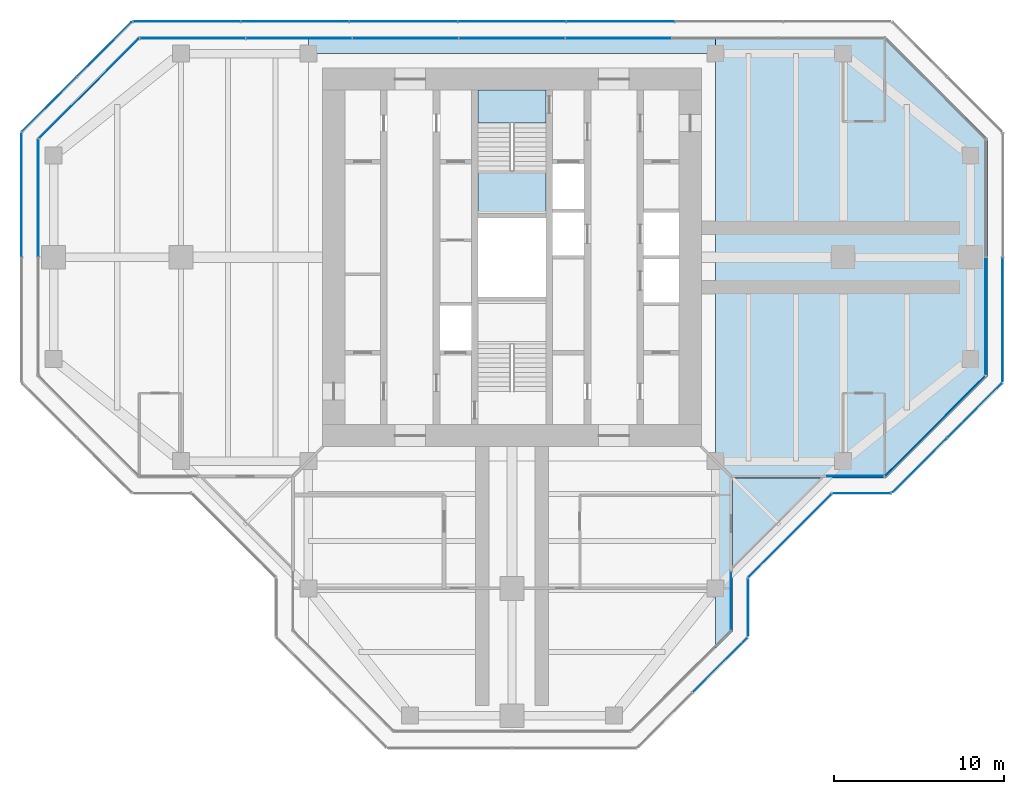
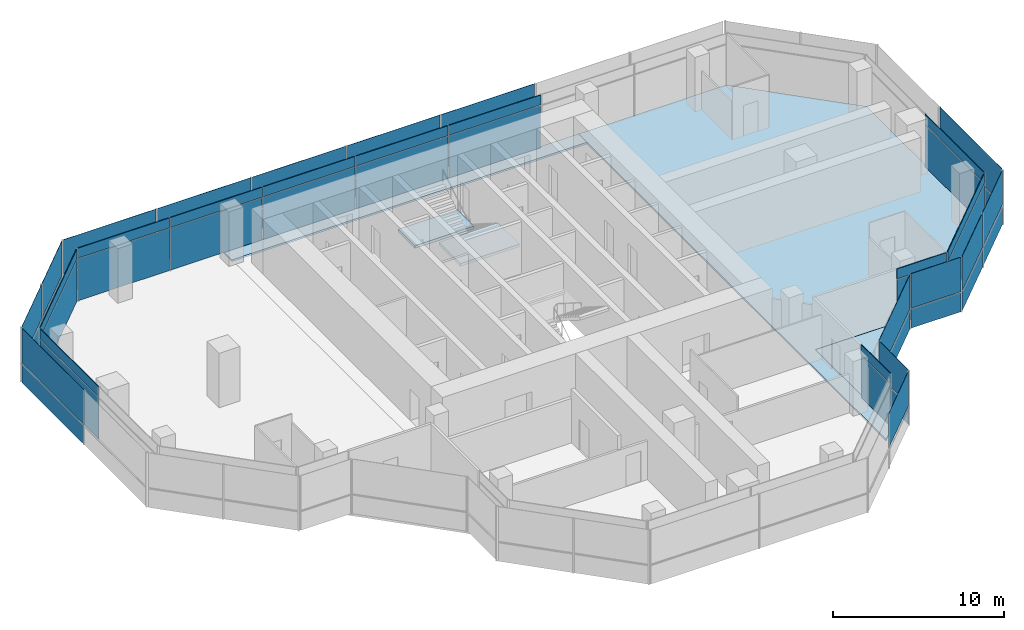
# One storey, part 10 of 15: 51 plates, 5 slabs, 17 elements without a shape of their own.
"""IFC4 building model written with IfcOpenShell, lengths in metres."""

from ifc_helpers import new_model, si_unit, direction, frame, origin, origin_2d, place, context, subcontext, project, spatial, polyline, rectangle, outline, extrude, material, layer, layer_set, type_object, element, aggregate, save


model = new_model("IFC4")

# Units and contexts
model_context = context("Model", 3, precision=1e-05, world=origin(), true_north=direction((0.0, 1.0)))
body_context = subcontext(model_context, "Body", "Model", "MODEL_VIEW")
ifc_project = project(units=[si_unit("LENGTHUNIT", "METRE"), si_unit("AREAUNIT", "SQUARE_METRE"), si_unit("VOLUMEUNIT", "CUBIC_METRE"), si_unit("PLANEANGLEUNIT", "RADIAN"), si_unit("MASSUNIT", "GRAM", prefix="KILO")], contexts=[model_context])

# Site, building, storey
site_placement = place(None, origin())
site = spatial("IfcSite", under=ifc_project, at=site_placement, CompositionType="ELEMENT")
building_placement = place(site_placement, origin())
building = spatial("IfcBuilding", under=site, at=building_placement, Name="Mizan Broadcast Tower", CompositionType="ELEMENT")
storey_placement = place(building_placement, frame((0.0, 0.0, 286.800048828125)))
storey = spatial("IfcBuildingStorey", under=building, at=storey_placement, Name="L68", CompositionType="ELEMENT", Elevation=286.800048828125)

# Slabs
ifc_material_1 = material(Name="Concrete C32/40", Category="concrete")
ifc_layer_1 = layer(ifc_material_1, 0.1298828125)
ifc_layer_set_1 = layer_set([ifc_layer_1], Name="Concrete C32/40")
slab_type_1 = type_object("IfcSlabType", Name="COMPOSITE DECK SLAB 130", PredefinedType="FLOOR", material=ifc_layer_set_1)
slab_1_placement = place(storey_placement, frame((0.0, 0.0, -0.130126953125)))
element("IfcSlab", 1, at=slab_1_placement, inside=storey, type_object=slab_type_1, Name="Floor slab L68 east arm", PredefinedType="FLOOR", context=body_context, shape_type="SweptSolid", body=[
    extrude(outline(polyline([(12.0, -23.0), (13.0, -22.0), (13.0, -13.0), (22.0, -13.0), (28.0, -7.0), (28.0, 7.0), (22.0, 13.0), (13.0, 13.0), (12.0, 13.0), (12.0, -23.0)])), origin(), (0.0, 0.0, 1.0), 0.130126953125),
])
slab_2_placement = place(storey_placement, frame((0.0, 0.0, -0.130126953125)))
element("IfcSlab", 2, at=slab_2_placement, inside=storey, type_object=slab_type_1, Name="Floor slab L68 north arm", PredefinedType="FLOOR", context=body_context, shape_type="SweptSolid", body=[
    extrude(outline(polyline([(12.0, 13.0), (-12.0, 13.0), (-12.0, 12.0), (12.0, 12.0), (12.0, 13.0)])), origin(), (0.0, 0.0, 1.0), 0.130126953125),
])

# Curtain wall, plate
ifc_material_2 = material(Name="Aluminium framed glazing", Category="aluminium")
curtain_wall_type_1 = type_object("IfcCurtainWallType", Name="INNER SKIN TOP ZONE", PredefinedType="USERDEFINED", material=ifc_material_2)
curtain_wall_1_placement = place(storey_placement, origin())
curtain_wall_1 = element("IfcCurtainWall", 3, at=curtain_wall_1_placement, inside=storey, type_object=curtain_wall_type_1, Name="Inner skin top zone L68 E side", ObjectType="INNER SKIN TOP ZONE", PredefinedType="USERDEFINED")
ifc_material_3 = material(Name="Double glazing, clear low-e", Category="glass")
ifc_layer_2 = layer(ifc_material_3, 0.028076171875)
ifc_layer_set_2 = layer_set([ifc_layer_2], Name="Double glazing, clear low-e")
plate_type_1 = type_object("IfcPlateType", Name="INNER SKIN GLAZING UNIT", PredefinedType="CURTAIN_PANEL", material=ifc_layer_set_2)
plate_1_placement = place(storey_placement, frame((20.229248046875, -12.89990234375, 0.0), z_axis=(0.0, 0.0, 1.0), x_axis=(1.0, 0.0, 0.0)))
plate_1 = element("IfcPlate", 4, at=plate_1_placement, type_object=plate_type_1, Name="Inner skin top zone L68 E side panel 1.1", PredefinedType="CURTAIN_PANEL", context=body_context, shape_type="SweptSolid", body=[
    extrude(rectangle(XDim=3.338623046875, YDim=0.028076171875, at=origin_2d()), origin(), (0.0, 0.0, 1.0), 3.0),
])

curtain_wall_2_placement = place(storey_placement, origin())
curtain_wall_2 = element("IfcCurtainWall", 5, at=curtain_wall_2_placement, inside=storey, type_object=curtain_wall_type_1, Name="Inner skin top zone L68 E chamfer", ObjectType="INNER SKIN TOP ZONE", PredefinedType="USERDEFINED")
plate_2_placement = place(storey_placement, frame((24.92919921875, -9.92919921875, 0.0), z_axis=(0.0, 0.0, 1.0), x_axis=(0.707106781187, 0.707106781187, 0.0)))
plate_2 = element("IfcPlate", 6, at=plate_2_placement, type_object=plate_type_1, Name="Inner skin top zone L68 E chamfer panel 1.1", PredefinedType="CURTAIN_PANEL", context=body_context, shape_type="SweptSolid", body=[
    extrude(rectangle(XDim=8.282470703125, YDim=0.028076171875, at=origin_2d()), origin(), (0.0, 0.0, 1.0), 3.0),
])

curtain_wall_3_placement = place(storey_placement, origin())
curtain_wall_3 = element("IfcCurtainWall", 7, at=curtain_wall_3_placement, inside=storey, type_object=curtain_wall_type_1, Name="Inner skin top zone L68 E end", ObjectType="INNER SKIN TOP ZONE", PredefinedType="USERDEFINED")
plate_3_placement = place(storey_placement, frame((27.89990234375, -3.46435546875, 0.0), z_axis=(0.0, 0.0, 1.0), x_axis=(0.0, 1.0, 0.0)))
plate_3 = element("IfcPlate", 8, at=plate_3_placement, type_object=plate_type_1, Name="Inner skin top zone L68 E end panel 1.1", PredefinedType="CURTAIN_PANEL", context=body_context, shape_type="SweptSolid", body=[
    extrude(rectangle(XDim=6.86865234375, YDim=0.028076171875, at=origin_2d()), origin(), (0.0, 0.0, 1.0), 3.0),
])

# Curtain wall, plates
curtain_wall_4_placement = place(storey_placement, origin())
curtain_wall_4 = element("IfcCurtainWall", 9, at=curtain_wall_4_placement, inside=storey, type_object=curtain_wall_type_1, Name="Inner skin top zone L68 N end", ObjectType="INNER SKIN TOP ZONE", PredefinedType="USERDEFINED")
plate_4_placement = place(storey_placement, frame((6.27392578125, 12.89990234375, 0.0), z_axis=(0.0, 0.0, 1.0), x_axis=(-1.0, 0.0, 0.0)))
plate_4 = element("IfcPlate", 10, at=plate_4_placement, type_object=plate_type_1, Name="Inner skin top zone L68 N end panel 3.1", PredefinedType="CURTAIN_PANEL", context=body_context, shape_type="SweptSolid", body=[
    extrude(rectangle(XDim=6.2138671875, YDim=0.028076171875, at=origin_2d()), origin(), (0.0, 0.0, 1.0), 3.0),
])
plate_5_placement = place(storey_placement, frame((0.0, 12.89990234375, 0.0), z_axis=(0.0, 0.0, 1.0), x_axis=(-1.0, 0.0, 0.0)))
plate_5 = element("IfcPlate", 11, at=plate_5_placement, type_object=plate_type_1, Name="Inner skin top zone L68 N end panel 4.1", PredefinedType="CURTAIN_PANEL", context=body_context, shape_type="SweptSolid", body=[
    extrude(rectangle(XDim=6.2138671875, YDim=0.028076171875, at=origin_2d()), origin(), (0.0, 0.0, 1.0), 3.0),
])
plate_6_placement = place(storey_placement, frame((-6.27392578125, 12.89990234375, 0.0), z_axis=(0.0, 0.0, 1.0), x_axis=(-1.0, 0.0, 0.0)))
plate_6 = element("IfcPlate", 12, at=plate_6_placement, type_object=plate_type_1, Name="Inner skin top zone L68 N end panel 5.1", PredefinedType="CURTAIN_PANEL", context=body_context, shape_type="SweptSolid", body=[
    extrude(rectangle(XDim=6.2138671875, YDim=0.028076171875, at=origin_2d()), origin(), (0.0, 0.0, 1.0), 3.0),
])
plate_7_placement = place(storey_placement, frame((-12.5478515625, 12.89990234375, 0.0), z_axis=(0.0, 0.0, 1.0), x_axis=(-1.0, 0.0, 0.0)))
plate_7 = element("IfcPlate", 13, at=plate_7_placement, type_object=plate_type_1, Name="Inner skin top zone L68 N end panel 6.1", PredefinedType="CURTAIN_PANEL", context=body_context, shape_type="SweptSolid", body=[
    extrude(rectangle(XDim=6.2138671875, YDim=0.028076171875, at=origin_2d()), origin(), (0.0, 0.0, 1.0), 3.0),
])
plate_8_placement = place(storey_placement, frame((-18.806640625, 12.89990234375, 0.0), z_axis=(0.0, 0.0, 1.0), x_axis=(-1.0, 0.0, 0.0)))
plate_8 = element("IfcPlate", 14, at=plate_8_placement, type_object=plate_type_1, Name="Inner skin top zone L68 N end panel 7.1", PredefinedType="CURTAIN_PANEL", context=body_context, shape_type="SweptSolid", body=[
    extrude(rectangle(XDim=6.183837890625, YDim=0.028076171875, at=origin_2d()), origin(), (0.0, 0.0, 1.0), 3.0),
])

# Curtain wall, plate
curtain_wall_5_placement = place(storey_placement, origin())
curtain_wall_5 = element("IfcCurtainWall", 15, at=curtain_wall_5_placement, inside=storey, type_object=curtain_wall_type_1, Name="Inner skin top zone L68 W chamfer", ObjectType="INNER SKIN TOP ZONE", PredefinedType="USERDEFINED")
plate_9_placement = place(storey_placement, frame((-24.92919921875, 9.92919921875, 0.0), z_axis=(0.0, 0.0, 1.0), x_axis=(-0.707106781187, -0.707106781187, 0.0)))
plate_9 = element("IfcPlate", 16, at=plate_9_placement, type_object=plate_type_1, Name="Inner skin top zone L68 W chamfer panel 1.1", PredefinedType="CURTAIN_PANEL", context=body_context, shape_type="SweptSolid", body=[
    extrude(rectangle(XDim=8.282470703125, YDim=0.028076171875, at=origin_2d()), origin(), (0.0, 0.0, 1.0), 3.0),
])

curtain_wall_6_placement = place(storey_placement, origin())
curtain_wall_6 = element("IfcCurtainWall", 17, at=curtain_wall_6_placement, inside=storey, type_object=curtain_wall_type_1, Name="Inner skin top zone L68 W end", ObjectType="INNER SKIN TOP ZONE", PredefinedType="USERDEFINED")
plate_10_placement = place(storey_placement, frame((-27.89990234375, 3.46435546875, 0.0), z_axis=(0.0, 0.0, 1.0), x_axis=(0.0, -1.0, 0.0)))
plate_10 = element("IfcPlate", 18, at=plate_10_placement, type_object=plate_type_1, Name="Inner skin top zone L68 W end panel 1.1", PredefinedType="CURTAIN_PANEL", context=body_context, shape_type="SweptSolid", body=[
    extrude(rectangle(XDim=6.86865234375, YDim=0.028076171875, at=origin_2d()), origin(), (0.0, 0.0, 1.0), 3.0),
])

curtain_wall_7_placement = place(storey_placement, origin())
curtain_wall_7 = element("IfcCurtainWall", 19, at=curtain_wall_7_placement, inside=storey, type_object=curtain_wall_type_1, Name="Inner skin top zone L68 S side", ObjectType="INNER SKIN TOP ZONE", PredefinedType="USERDEFINED")
plate_11_placement = place(storey_placement, frame((12.89990234375, -20.229248046875, 0.0), z_axis=(0.0, 0.0, 1.0), x_axis=(0.0, 1.0, 0.0)))
plate_11 = element("IfcPlate", 20, at=plate_11_placement, type_object=plate_type_1, Name="Inner skin top zone L68 S side panel 1.1", PredefinedType="CURTAIN_PANEL", context=body_context, shape_type="SweptSolid", body=[
    extrude(rectangle(XDim=3.338623046875, YDim=0.028076171875, at=origin_2d()), origin(), (0.0, 0.0, 1.0), 3.0),
])

# Plate
ifc_material_4 = material(Name="Insulated aluminium spandrel panel, pale anodised", Category="aluminium")
ifc_layer_3 = layer(ifc_material_4, 0.050048828125)
ifc_layer_set_3 = layer_set([ifc_layer_3], Name="Insulated aluminium spandrel panel, pale anodised")
plate_type_2 = type_object("IfcPlateType", Name="INNER SKIN SPANDREL PANEL", PredefinedType="CURTAIN_PANEL", material=ifc_layer_set_3)
plate_12_placement = place(storey_placement, frame((20.229248046875, -12.89990234375, 3.06005859375), z_axis=(0.0, 0.0, 1.0), x_axis=(1.0, 0.0, 0.0)))
plate_12 = element("IfcPlate", 21, at=plate_12_placement, type_object=plate_type_2, Name="Inner skin top zone L68 E side panel 1.2", PredefinedType="CURTAIN_PANEL", context=body_context, shape_type="SweptSolid", body=[
    extrude(rectangle(XDim=3.338623046875, YDim=0.050048828125, at=origin_2d()), origin(), (0.0, 0.0, 1.0), 0.7099609375),
])

aggregate(curtain_wall_1, [plate_1, plate_12])

plate_13_placement = place(storey_placement, frame((24.92919921875, -9.92919921875, 3.06005859375), z_axis=(0.0, 0.0, 1.0), x_axis=(0.707106781187, 0.707106781187, 0.0)))
plate_13 = element("IfcPlate", 22, at=plate_13_placement, type_object=plate_type_2, Name="Inner skin top zone L68 E chamfer panel 1.2", PredefinedType="CURTAIN_PANEL", context=body_context, shape_type="SweptSolid", body=[
    extrude(rectangle(XDim=8.282470703125, YDim=0.050048828125, at=origin_2d()), origin(), (0.0, 0.0, 1.0), 0.7099609375),
])

aggregate(curtain_wall_2, [plate_2, plate_13])

plate_14_placement = place(storey_placement, frame((27.89990234375, -3.46435546875, 3.06005859375), z_axis=(0.0, 0.0, 1.0), x_axis=(0.0, 1.0, 0.0)))
plate_14 = element("IfcPlate", 23, at=plate_14_placement, type_object=plate_type_2, Name="Inner skin top zone L68 E end panel 1.2", PredefinedType="CURTAIN_PANEL", context=body_context, shape_type="SweptSolid", body=[
    extrude(rectangle(XDim=6.86865234375, YDim=0.050048828125, at=origin_2d()), origin(), (0.0, 0.0, 1.0), 0.7099609375),
])

aggregate(curtain_wall_3, [plate_3, plate_14])

plate_15_placement = place(storey_placement, frame((6.27392578125, 12.89990234375, 3.06005859375), z_axis=(0.0, 0.0, 1.0), x_axis=(-1.0, 0.0, 0.0)))
plate_15 = element("IfcPlate", 24, at=plate_15_placement, type_object=plate_type_2, Name="Inner skin top zone L68 N end panel 3.2", PredefinedType="CURTAIN_PANEL", context=body_context, shape_type="SweptSolid", body=[
    extrude(rectangle(XDim=6.2138671875, YDim=0.050048828125, at=origin_2d()), origin(), (0.0, 0.0, 1.0), 0.7099609375),
])

plate_16_placement = place(storey_placement, frame((0.0, 12.89990234375, 3.06005859375), z_axis=(0.0, 0.0, 1.0), x_axis=(-1.0, 0.0, 0.0)))
plate_16 = element("IfcPlate", 25, at=plate_16_placement, type_object=plate_type_2, Name="Inner skin top zone L68 N end panel 4.2", PredefinedType="CURTAIN_PANEL", context=body_context, shape_type="SweptSolid", body=[
    extrude(rectangle(XDim=6.2138671875, YDim=0.050048828125, at=origin_2d()), origin(), (0.0, 0.0, 1.0), 0.7099609375),
])

plate_17_placement = place(storey_placement, frame((-6.27392578125, 12.89990234375, 3.06005859375), z_axis=(0.0, 0.0, 1.0), x_axis=(-1.0, 0.0, 0.0)))
plate_17 = element("IfcPlate", 26, at=plate_17_placement, type_object=plate_type_2, Name="Inner skin top zone L68 N end panel 5.2", PredefinedType="CURTAIN_PANEL", context=body_context, shape_type="SweptSolid", body=[
    extrude(rectangle(XDim=6.2138671875, YDim=0.050048828125, at=origin_2d()), origin(), (0.0, 0.0, 1.0), 0.7099609375),
])

plate_18_placement = place(storey_placement, frame((-12.5478515625, 12.89990234375, 3.06005859375), z_axis=(0.0, 0.0, 1.0), x_axis=(-1.0, 0.0, 0.0)))
plate_18 = element("IfcPlate", 27, at=plate_18_placement, type_object=plate_type_2, Name="Inner skin top zone L68 N end panel 6.2", PredefinedType="CURTAIN_PANEL", context=body_context, shape_type="SweptSolid", body=[
    extrude(rectangle(XDim=6.2138671875, YDim=0.050048828125, at=origin_2d()), origin(), (0.0, 0.0, 1.0), 0.7099609375),
])

plate_19_placement = place(storey_placement, frame((-18.806640625, 12.89990234375, 3.06005859375), z_axis=(0.0, 0.0, 1.0), x_axis=(-1.0, 0.0, 0.0)))
plate_19 = element("IfcPlate", 28, at=plate_19_placement, type_object=plate_type_2, Name="Inner skin top zone L68 N end panel 7.2", PredefinedType="CURTAIN_PANEL", context=body_context, shape_type="SweptSolid", body=[
    extrude(rectangle(XDim=6.183837890625, YDim=0.050048828125, at=origin_2d()), origin(), (0.0, 0.0, 1.0), 0.7099609375),
])

aggregate(curtain_wall_4, [plate_4, plate_15, plate_5, plate_16, plate_6, plate_17, plate_7, plate_18, plate_8, plate_19])

plate_20_placement = place(storey_placement, frame((-24.92919921875, 9.92919921875, 3.06005859375), z_axis=(0.0, 0.0, 1.0), x_axis=(-0.707106781187, -0.707106781187, 0.0)))
plate_20 = element("IfcPlate", 29, at=plate_20_placement, type_object=plate_type_2, Name="Inner skin top zone L68 W chamfer panel 1.2", PredefinedType="CURTAIN_PANEL", context=body_context, shape_type="SweptSolid", body=[
    extrude(rectangle(XDim=8.282470703125, YDim=0.050048828125, at=origin_2d()), origin(), (0.0, 0.0, 1.0), 0.7099609375),
])

aggregate(curtain_wall_5, [plate_9, plate_20])

plate_21_placement = place(storey_placement, frame((-27.89990234375, 3.46435546875, 3.06005859375), z_axis=(0.0, 0.0, 1.0), x_axis=(0.0, -1.0, 0.0)))
plate_21 = element("IfcPlate", 30, at=plate_21_placement, type_object=plate_type_2, Name="Inner skin top zone L68 W end panel 1.2", PredefinedType="CURTAIN_PANEL", context=body_context, shape_type="SweptSolid", body=[
    extrude(rectangle(XDim=6.86865234375, YDim=0.050048828125, at=origin_2d()), origin(), (0.0, 0.0, 1.0), 0.7099609375),
])

aggregate(curtain_wall_6, [plate_10, plate_21])

plate_22_placement = place(storey_placement, frame((12.89990234375, -20.229248046875, 3.06005859375), z_axis=(0.0, 0.0, 1.0), x_axis=(0.0, 1.0, 0.0)))
plate_22 = element("IfcPlate", 31, at=plate_22_placement, type_object=plate_type_2, Name="Inner skin top zone L68 S side panel 1.2", PredefinedType="CURTAIN_PANEL", context=body_context, shape_type="SweptSolid", body=[
    extrude(rectangle(XDim=3.338623046875, YDim=0.050048828125, at=origin_2d()), origin(), (0.0, 0.0, 1.0), 0.7099609375),
])

aggregate(curtain_wall_7, [plate_11, plate_22])

# Curtain wall, plates
ifc_material_5 = material(Name="Aluminium framed glazing", Category="aluminium")
curtain_wall_type_2 = type_object("IfcCurtainWallType", Name="OUTER SKIN", PredefinedType="USERDEFINED", material=ifc_material_5)
curtain_wall_8_placement = place(storey_placement, origin())
curtain_wall_8 = element("IfcCurtainWall", 32, at=curtain_wall_8_placement, inside=storey, type_object=curtain_wall_type_2, Name="Outer skin L68 S side", ObjectType="OUTER SKIN", PredefinedType="USERDEFINED")
ifc_material_6 = material(Name="Laminated clear glass", Category="glass")
ifc_layer_4 = layer(ifc_material_6, 0.02001953125)
ifc_layer_set_4 = layer_set([ifc_layer_4], Name="Laminated clear glass")
plate_type_3 = type_object("IfcPlateType", Name="OUTER SKIN CLEAR GLASS", PredefinedType="CURTAIN_PANEL", material=ifc_layer_set_4)
plate_23_placement = place(storey_placement, frame((13.89990234375, -20.622802734375, 0.0), z_axis=(0.0, 0.0, 1.0), x_axis=(0.0, 1.0, 0.0)))
plate_23 = element("IfcPlate", 33, at=plate_23_placement, type_object=plate_type_3, Name="Outer skin L68 S side panel 1.1", PredefinedType="CURTAIN_PANEL", context=body_context, shape_type="SweptSolid", body=[
    extrude(rectangle(XDim=3.340087890625, YDim=0.02001953125, at=origin_2d()), origin(), (0.0, 0.0, 1.0), 1.3701171875),
])
plate_24_placement = place(storey_placement, frame((13.89990234375, -20.622802734375, 1.43017578125), z_axis=(0.0, 0.0, 1.0), x_axis=(0.0, 1.0, 0.0)))
plate_24 = element("IfcPlate", 34, at=plate_24_placement, type_object=plate_type_3, Name="Outer skin L68 S side panel 1.2", PredefinedType="CURTAIN_PANEL", context=body_context, shape_type="SweptSolid", body=[
    extrude(rectangle(XDim=3.340087890625, YDim=0.02001953125, at=origin_2d()), origin(), (0.0, 0.0, 1.0), 2.469970703125),
])
aggregate(curtain_wall_8, [plate_23, plate_24])

curtain_wall_9_placement = place(storey_placement, origin())
curtain_wall_9 = element("IfcCurtainWall", 35, at=curtain_wall_9_placement, inside=storey, type_object=curtain_wall_type_2, Name="Outer skin L68 E chamfer", ObjectType="OUTER SKIN", PredefinedType="USERDEFINED")
plate_25_placement = place(storey_placement, frame((16.386474609375, -16.386474609375, 0.0), z_axis=(0.0, 0.0, 1.0), x_axis=(0.707106781187, 0.707106781187, 0.0)))
plate_25 = element("IfcPlate", 36, at=plate_25_placement, type_object=plate_type_3, Name="Outer skin L68 E chamfer panel 1.1", PredefinedType="CURTAIN_PANEL", context=body_context, shape_type="SweptSolid", body=[
    extrude(rectangle(XDim=6.87255859375, YDim=0.02001953125, at=origin_2d()), origin(), (0.0, 0.0, 1.0), 1.3701171875),
])
plate_26_placement = place(storey_placement, frame((16.386474609375, -16.386474609375, 1.43017578125), z_axis=(0.0, 0.0, 1.0), x_axis=(0.707106781187, 0.707106781187, 0.0)))
plate_26 = element("IfcPlate", 37, at=plate_26_placement, type_object=plate_type_3, Name="Outer skin L68 E chamfer panel 1.2", PredefinedType="CURTAIN_PANEL", context=body_context, shape_type="SweptSolid", body=[
    extrude(rectangle(XDim=6.87255859375, YDim=0.02001953125, at=origin_2d()), origin(), (0.0, 0.0, 1.0), 2.469970703125),
])
aggregate(curtain_wall_9, [plate_25, plate_26])

curtain_wall_10_placement = place(storey_placement, origin())
curtain_wall_10 = element("IfcCurtainWall", 38, at=curtain_wall_10_placement, inside=storey, type_object=curtain_wall_type_2, Name="Outer skin L68 E side", ObjectType="OUTER SKIN", PredefinedType="USERDEFINED")
plate_27_placement = place(storey_placement, frame((20.622802734375, -13.89990234375, 0.0), z_axis=(0.0, 0.0, 1.0), x_axis=(1.0, 0.0, 0.0)))
plate_27 = element("IfcPlate", 39, at=plate_27_placement, type_object=plate_type_3, Name="Outer skin L68 E side panel 1.1", PredefinedType="CURTAIN_PANEL", context=body_context, shape_type="SweptSolid", body=[
    extrude(rectangle(XDim=3.340087890625, YDim=0.02001953125, at=origin_2d()), origin(), (0.0, 0.0, 1.0), 1.3701171875),
])
plate_28_placement = place(storey_placement, frame((20.622802734375, -13.89990234375, 1.43017578125), z_axis=(0.0, 0.0, 1.0), x_axis=(1.0, 0.0, 0.0)))
plate_28 = element("IfcPlate", 40, at=plate_28_placement, type_object=plate_type_3, Name="Outer skin L68 E side panel 1.2", PredefinedType="CURTAIN_PANEL", context=body_context, shape_type="SweptSolid", body=[
    extrude(rectangle(XDim=3.340087890625, YDim=0.02001953125, at=origin_2d()), origin(), (0.0, 0.0, 1.0), 2.469970703125),
])
aggregate(curtain_wall_10, [plate_27, plate_28])

curtain_wall_11_placement = place(storey_placement, origin())
curtain_wall_11 = element("IfcCurtainWall", 41, at=curtain_wall_11_placement, inside=storey, type_object=curtain_wall_type_2, Name="Outer skin L68 E chamfer", ObjectType="OUTER SKIN", PredefinedType="USERDEFINED")
plate_29_placement = place(storey_placement, frame((24.018798828125, -12.254150390625, 0.0), z_axis=(0.0, 0.0, 1.0), x_axis=(0.707106781187, 0.707106781187, 0.0)))
plate_29 = element("IfcPlate", 42, at=plate_29_placement, type_object=plate_type_3, Name="Outer skin L68 E chamfer panel 1.1", PredefinedType="CURTAIN_PANEL", context=body_context, shape_type="SweptSolid", body=[
    extrude(rectangle(XDim=4.495361328125, YDim=0.02001953125, at=origin_2d()), origin(), (0.0, 0.0, 1.0), 1.3701171875),
])
plate_30_placement = place(storey_placement, frame((24.018798828125, -12.254150390625, 1.43017578125), z_axis=(0.0, 0.0, 1.0), x_axis=(0.707106781187, 0.707106781187, 0.0)))
plate_30 = element("IfcPlate", 43, at=plate_30_placement, type_object=plate_type_3, Name="Outer skin L68 E chamfer panel 1.2", PredefinedType="CURTAIN_PANEL", context=body_context, shape_type="SweptSolid", body=[
    extrude(rectangle(XDim=4.495361328125, YDim=0.02001953125, at=origin_2d()), origin(), (0.0, 0.0, 1.0), 2.469970703125),
])

curtain_wall_12_placement = place(storey_placement, origin())
curtain_wall_12 = element("IfcCurtainWall", 44, at=curtain_wall_12_placement, inside=storey, type_object=curtain_wall_type_2, Name="Outer skin L68 E end", ObjectType="OUTER SKIN", PredefinedType="USERDEFINED")
plate_31_placement = place(storey_placement, frame((28.89990234375, -3.66650390625, 0.0), z_axis=(0.0, 0.0, 1.0), x_axis=(0.0, 1.0, 0.0)))
plate_31 = element("IfcPlate", 45, at=plate_31_placement, type_object=plate_type_3, Name="Outer skin L68 E end panel 1.1", PredefinedType="CURTAIN_PANEL", context=body_context, shape_type="SweptSolid", body=[
    extrude(rectangle(XDim=7.252685546875, YDim=0.02001953125, at=origin_2d()), origin(), (0.0, 0.0, 1.0), 1.3701171875),
])
plate_32_placement = place(storey_placement, frame((28.89990234375, -3.66650390625, 1.43017578125), z_axis=(0.0, 0.0, 1.0), x_axis=(0.0, 1.0, 0.0)))
plate_32 = element("IfcPlate", 46, at=plate_32_placement, type_object=plate_type_3, Name="Outer skin L68 E end panel 1.2", PredefinedType="CURTAIN_PANEL", context=body_context, shape_type="SweptSolid", body=[
    extrude(rectangle(XDim=7.252685546875, YDim=0.02001953125, at=origin_2d()), origin(), (0.0, 0.0, 1.0), 2.469970703125),
])
aggregate(curtain_wall_12, [plate_31, plate_32])

curtain_wall_13_placement = place(storey_placement, origin())
curtain_wall_13 = element("IfcCurtainWall", 47, at=curtain_wall_13_placement, inside=storey, type_object=curtain_wall_type_2, Name="Outer skin L68 N end", ObjectType="OUTER SKIN", PredefinedType="USERDEFINED")
plate_33_placement = place(storey_placement, frame((6.392333984375, 13.89990234375, 0.0), z_axis=(0.0, 0.0, 1.0), x_axis=(-1.0, 0.0, 0.0)))
plate_33 = element("IfcPlate", 48, at=plate_33_placement, type_object=plate_type_3, Name="Outer skin L68 N end panel 3.1", PredefinedType="CURTAIN_PANEL", context=body_context, shape_type="SweptSolid", body=[
    extrude(rectangle(XDim=6.312255859375, YDim=0.02001953125, at=origin_2d()), origin(), (0.0, 0.0, 1.0), 1.3701171875),
])
plate_34_placement = place(storey_placement, frame((6.392333984375, 13.89990234375, 1.43017578125), z_axis=(0.0, 0.0, 1.0), x_axis=(-1.0, 0.0, 0.0)))
plate_34 = element("IfcPlate", 49, at=plate_34_placement, type_object=plate_type_3, Name="Outer skin L68 N end panel 3.2", PredefinedType="CURTAIN_PANEL", context=body_context, shape_type="SweptSolid", body=[
    extrude(rectangle(XDim=6.312255859375, YDim=0.02001953125, at=origin_2d()), origin(), (0.0, 0.0, 1.0), 2.469970703125),
])
plate_35_placement = place(storey_placement, frame((0.0, 13.89990234375, 0.0), z_axis=(0.0, 0.0, 1.0), x_axis=(-1.0, 0.0, 0.0)))
plate_35 = element("IfcPlate", 50, at=plate_35_placement, type_object=plate_type_3, Name="Outer skin L68 N end panel 4.1", PredefinedType="CURTAIN_PANEL", context=body_context, shape_type="SweptSolid", body=[
    extrude(rectangle(XDim=6.312255859375, YDim=0.02001953125, at=origin_2d()), origin(), (0.0, 0.0, 1.0), 1.3701171875),
])
plate_36_placement = place(storey_placement, frame((0.0, 13.89990234375, 1.43017578125), z_axis=(0.0, 0.0, 1.0), x_axis=(-1.0, 0.0, 0.0)))
plate_36 = element("IfcPlate", 51, at=plate_36_placement, type_object=plate_type_3, Name="Outer skin L68 N end panel 4.2", PredefinedType="CURTAIN_PANEL", context=body_context, shape_type="SweptSolid", body=[
    extrude(rectangle(XDim=6.312255859375, YDim=0.02001953125, at=origin_2d()), origin(), (0.0, 0.0, 1.0), 2.469970703125),
])
plate_37_placement = place(storey_placement, frame((-6.392333984375, 13.89990234375, 0.0), z_axis=(0.0, 0.0, 1.0), x_axis=(-1.0, 0.0, 0.0)))
plate_37 = element("IfcPlate", 52, at=plate_37_placement, type_object=plate_type_3, Name="Outer skin L68 N end panel 5.1", PredefinedType="CURTAIN_PANEL", context=body_context, shape_type="SweptSolid", body=[
    extrude(rectangle(XDim=6.312255859375, YDim=0.02001953125, at=origin_2d()), origin(), (0.0, 0.0, 1.0), 1.3701171875),
])
plate_38_placement = place(storey_placement, frame((-6.392333984375, 13.89990234375, 1.43017578125), z_axis=(0.0, 0.0, 1.0), x_axis=(-1.0, 0.0, 0.0)))
plate_38 = element("IfcPlate", 53, at=plate_38_placement, type_object=plate_type_3, Name="Outer skin L68 N end panel 5.2", PredefinedType="CURTAIN_PANEL", context=body_context, shape_type="SweptSolid", body=[
    extrude(rectangle(XDim=6.312255859375, YDim=0.02001953125, at=origin_2d()), origin(), (0.0, 0.0, 1.0), 2.469970703125),
])
plate_39_placement = place(storey_placement, frame((-12.784423828125, 13.89990234375, 0.0), z_axis=(0.0, 0.0, 1.0), x_axis=(-1.0, 0.0, 0.0)))
plate_39 = element("IfcPlate", 54, at=plate_39_placement, type_object=plate_type_3, Name="Outer skin L68 N end panel 6.1", PredefinedType="CURTAIN_PANEL", context=body_context, shape_type="SweptSolid", body=[
    extrude(rectangle(XDim=6.312255859375, YDim=0.02001953125, at=origin_2d()), origin(), (0.0, 0.0, 1.0), 1.3701171875),
])
plate_40_placement = place(storey_placement, frame((-12.784423828125, 13.89990234375, 1.43017578125), z_axis=(0.0, 0.0, 1.0), x_axis=(-1.0, 0.0, 0.0)))
plate_40 = element("IfcPlate", 55, at=plate_40_placement, type_object=plate_type_3, Name="Outer skin L68 N end panel 6.2", PredefinedType="CURTAIN_PANEL", context=body_context, shape_type="SweptSolid", body=[
    extrude(rectangle(XDim=6.312255859375, YDim=0.02001953125, at=origin_2d()), origin(), (0.0, 0.0, 1.0), 2.469970703125),
])
plate_41_placement = place(storey_placement, frame((-19.15673828125, 13.89990234375, 0.0), z_axis=(0.0, 0.0, 1.0), x_axis=(-1.0, 0.0, 0.0)))
plate_41 = element("IfcPlate", 56, at=plate_41_placement, type_object=plate_type_3, Name="Outer skin L68 N end panel 7.1", PredefinedType="CURTAIN_PANEL", context=body_context, shape_type="SweptSolid", body=[
    extrude(rectangle(XDim=6.272216796875, YDim=0.02001953125, at=origin_2d()), origin(), (0.0, 0.0, 1.0), 1.3701171875),
])
plate_42_placement = place(storey_placement, frame((-19.15673828125, 13.89990234375, 1.43017578125), z_axis=(0.0, 0.0, 1.0), x_axis=(-1.0, 0.0, 0.0)))
plate_42 = element("IfcPlate", 57, at=plate_42_placement, type_object=plate_type_3, Name="Outer skin L68 N end panel 7.2", PredefinedType="CURTAIN_PANEL", context=body_context, shape_type="SweptSolid", body=[
    extrude(rectangle(XDim=6.272216796875, YDim=0.02001953125, at=origin_2d()), origin(), (0.0, 0.0, 1.0), 2.469970703125),
])
aggregate(curtain_wall_13, [plate_33, plate_34, plate_35, plate_36, plate_37, plate_38, plate_39, plate_40, plate_41, plate_42])

curtain_wall_14_placement = place(storey_placement, origin())
curtain_wall_14 = element("IfcCurtainWall", 58, at=curtain_wall_14_placement, inside=storey, type_object=curtain_wall_type_2, Name="Outer skin L68 W chamfer", ObjectType="OUTER SKIN", PredefinedType="USERDEFINED")
plate_43_placement = place(storey_placement, frame((-24.018798828125, 12.254150390625, 0.0), z_axis=(0.0, 0.0, 1.0), x_axis=(-0.707106781187, -0.707106781187, 0.0)))
plate_43 = element("IfcPlate", 59, at=plate_43_placement, type_object=plate_type_3, Name="Outer skin L68 W chamfer panel 1.1", PredefinedType="CURTAIN_PANEL", context=body_context, shape_type="SweptSolid", body=[
    extrude(rectangle(XDim=4.495361328125, YDim=0.02001953125, at=origin_2d()), origin(), (0.0, 0.0, 1.0), 1.3701171875),
])
plate_44_placement = place(storey_placement, frame((-24.018798828125, 12.254150390625, 1.43017578125), z_axis=(0.0, 0.0, 1.0), x_axis=(-0.707106781187, -0.707106781187, 0.0)))
plate_44 = element("IfcPlate", 60, at=plate_44_placement, type_object=plate_type_3, Name="Outer skin L68 W chamfer panel 1.2", PredefinedType="CURTAIN_PANEL", context=body_context, shape_type="SweptSolid", body=[
    extrude(rectangle(XDim=4.495361328125, YDim=0.02001953125, at=origin_2d()), origin(), (0.0, 0.0, 1.0), 2.469970703125),
])

curtain_wall_15_placement = place(storey_placement, origin())
curtain_wall_15 = element("IfcCurtainWall", 61, at=curtain_wall_15_placement, inside=storey, type_object=curtain_wall_type_2, Name="Outer skin L68 W end", ObjectType="OUTER SKIN", PredefinedType="USERDEFINED")
plate_45_placement = place(storey_placement, frame((-28.89990234375, 3.66650390625, 0.0), z_axis=(0.0, 0.0, 1.0), x_axis=(0.0, -1.0, 0.0)))
plate_45 = element("IfcPlate", 62, at=plate_45_placement, type_object=plate_type_3, Name="Outer skin L68 W end panel 1.1", PredefinedType="CURTAIN_PANEL", context=body_context, shape_type="SweptSolid", body=[
    extrude(rectangle(XDim=7.252685546875, YDim=0.02001953125, at=origin_2d()), origin(), (0.0, 0.0, 1.0), 1.3701171875),
])
plate_46_placement = place(storey_placement, frame((-28.89990234375, 3.66650390625, 1.43017578125), z_axis=(0.0, 0.0, 1.0), x_axis=(0.0, -1.0, 0.0)))
plate_46 = element("IfcPlate", 63, at=plate_46_placement, type_object=plate_type_3, Name="Outer skin L68 W end panel 1.2", PredefinedType="CURTAIN_PANEL", context=body_context, shape_type="SweptSolid", body=[
    extrude(rectangle(XDim=7.252685546875, YDim=0.02001953125, at=origin_2d()), origin(), (0.0, 0.0, 1.0), 2.469970703125),
])
aggregate(curtain_wall_15, [plate_45, plate_46])

# Curtain wall, plate
curtain_wall_16_placement = place(storey_placement, origin())
curtain_wall_16 = element("IfcCurtainWall", 64, at=curtain_wall_16_placement, inside=storey, type_object=curtain_wall_type_2, Name="Outer skin L68 S chamfer", ObjectType="OUTER SKIN", PredefinedType="USERDEFINED")
ifc_material_7 = material(Name="Perforated aluminium, pale anodised", Category="aluminium")
ifc_layer_5 = layer(ifc_material_7, 0.011962890625)
ifc_layer_set_5 = layer_set([ifc_layer_5], Name="Perforated aluminium, pale anodised")
plate_type_4 = type_object("IfcPlateType", Name="OUTER SKIN PERFORATED SCREEN", PredefinedType="USERDEFINED", material=ifc_layer_set_5)
plate_47_placement = place(storey_placement, frame((12.254150390625, -24.018798828125, 1.43017578125), z_axis=(0.0, 0.0, 1.0), x_axis=(0.707106781187, 0.707106781187, 0.0)))
plate_47 = element("IfcPlate", 65, at=plate_47_placement, type_object=plate_type_4, Name="Outer skin L68 S chamfer panel 2.2", ObjectType="SCREEN", PredefinedType="USERDEFINED", context=body_context, shape_type="SweptSolid", body=[
    extrude(rectangle(XDim=4.495361328125, YDim=0.011962890625, at=origin_2d()), origin(), (0.0, 0.0, 1.0), 2.469970703125),
])
aggregate(curtain_wall_16, [plate_47])

# Plate
plate_48_placement = place(storey_placement, frame((27.254150390625, -9.018798828125, 0.0), z_axis=(0.0, 0.0, 1.0), x_axis=(0.707106781187, 0.707106781187, 0.0)))
plate_48 = element("IfcPlate", 66, at=plate_48_placement, type_object=plate_type_4, Name="Outer skin L68 E chamfer panel 2.1", ObjectType="SCREEN", PredefinedType="USERDEFINED", context=body_context, shape_type="SweptSolid", body=[
    extrude(rectangle(XDim=4.495361328125, YDim=0.011962890625, at=origin_2d()), origin(), (0.0, 0.0, 1.0), 1.3701171875),
])

plate_49_placement = place(storey_placement, frame((27.254150390625, -9.018798828125, 1.43017578125), z_axis=(0.0, 0.0, 1.0), x_axis=(0.707106781187, 0.707106781187, 0.0)))
plate_49 = element("IfcPlate", 67, at=plate_49_placement, type_object=plate_type_4, Name="Outer skin L68 E chamfer panel 2.2", ObjectType="SCREEN", PredefinedType="USERDEFINED", context=body_context, shape_type="SweptSolid", body=[
    extrude(rectangle(XDim=4.495361328125, YDim=0.011962890625, at=origin_2d()), origin(), (0.0, 0.0, 1.0), 2.469970703125),
])

aggregate(curtain_wall_11, [plate_29, plate_30, plate_48, plate_49])

plate_50_placement = place(storey_placement, frame((-27.254150390625, 9.018798828125, 0.0), z_axis=(0.0, 0.0, 1.0), x_axis=(-0.707106781187, -0.707106781187, 0.0)))
plate_50 = element("IfcPlate", 68, at=plate_50_placement, type_object=plate_type_4, Name="Outer skin L68 W chamfer panel 2.1", ObjectType="SCREEN", PredefinedType="USERDEFINED", context=body_context, shape_type="SweptSolid", body=[
    extrude(rectangle(XDim=4.495361328125, YDim=0.011962890625, at=origin_2d()), origin(), (0.0, 0.0, 1.0), 1.3701171875),
])

plate_51_placement = place(storey_placement, frame((-27.254150390625, 9.018798828125, 1.43017578125), z_axis=(0.0, 0.0, 1.0), x_axis=(-0.707106781187, -0.707106781187, 0.0)))
plate_51 = element("IfcPlate", 69, at=plate_51_placement, type_object=plate_type_4, Name="Outer skin L68 W chamfer panel 2.2", ObjectType="SCREEN", PredefinedType="USERDEFINED", context=body_context, shape_type="SweptSolid", body=[
    extrude(rectangle(XDim=4.495361328125, YDim=0.011962890625, at=origin_2d()), origin(), (0.0, 0.0, 1.0), 2.469970703125),
])

aggregate(curtain_wall_14, [plate_43, plate_44, plate_50, plate_51])

# Stair, slabs
ifc_material_8 = material(Name="Concrete C40/50", Category="concrete")
stair_type = type_object("IfcStairType", Name="EXIT STAIR", PredefinedType="HALF_TURN_STAIR", material=ifc_material_8)
stair_placement = place(storey_placement, origin())
stair = element("IfcStair", 70, at=stair_placement, inside=storey, type_object=stair_type, Name="Stair B L68", PredefinedType="HALF_TURN_STAIR")
ifc_material_9 = material(Name="Concrete C40/50", Category="concrete")
ifc_layer_6 = layer(ifc_material_9, 0.199951171875)
ifc_layer_set_6 = layer_set([ifc_layer_6], Name="Concrete C40/50")
slab_type_2 = type_object("IfcSlabType", Name="STAIR LANDING 200", PredefinedType="LANDING", material=ifc_layer_set_6)
slab_3_placement = place(storey_placement, frame((0.0, 0.0, -0.199951171875)))
slab_3 = element("IfcSlab", 71, at=slab_3_placement, type_object=slab_type_2, Name="B landing 1", PredefinedType="LANDING", context=body_context, shape_type="SweptSolid", body=[
    extrude(outline(polyline([(2.0, 9.85009765625), (2.0, 7.89990234375), (-2.0, 7.89990234375), (-2.0, 9.85009765625), (2.0, 9.85009765625)])), origin(), (0.0, 0.0, 1.0), 0.199951171875),
])
slab_4_placement = place(storey_placement, frame((0.0, 0.0, 1.75)))
slab_4 = element("IfcSlab", 72, at=slab_4_placement, type_object=slab_type_2, Name="B landing 2", PredefinedType="LANDING", context=body_context, shape_type="SweptSolid", body=[
    extrude(outline(polyline([(2.0, 5.10009765625), (2.0, 2.574951171875), (-2.0, 2.574951171875), (-2.0, 5.10009765625), (2.0, 5.10009765625)])), origin(), (0.0, 0.0, 1.0), 0.199951171875),
])
aggregate(stair, [slab_3, slab_4])

# Slab
ifc_material_10 = material(Name="Concrete C32/40", Category="concrete")
ifc_layer_7 = layer(ifc_material_10, 0.1298828125)
ifc_layer_set_7 = layer_set([ifc_layer_7], Name="Concrete C32/40")
slab_type_3 = type_object("IfcSlabType", Name="WINTER GARDEN SLAB 130", PredefinedType="FLOOR", material=ifc_layer_set_7)
slab_5_placement = place(storey_placement, frame((0.0, 0.0, -0.130126953125)))
element("IfcSlab", 73, at=slab_5_placement, inside=storey, type_object=slab_type_3, Name="Winter garden slab L68 S", PredefinedType="FLOOR", context=body_context, shape_type="SweptSolid", body=[
    extrude(outline(polyline([(13.0, -13.0), (13.0, -18.5), (18.5, -13.0), (13.0, -13.0)])), origin(), (0.0, 0.0, 1.0), 0.130126953125),
])

save(model, "model.ifc")
